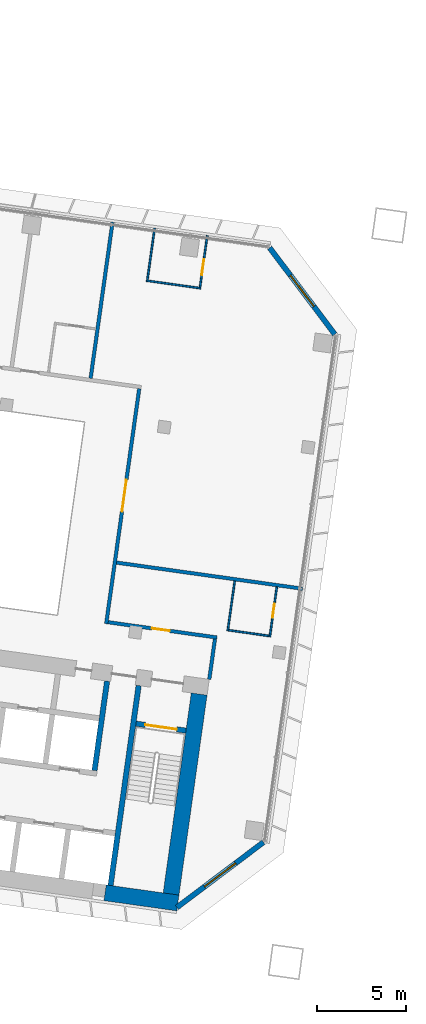
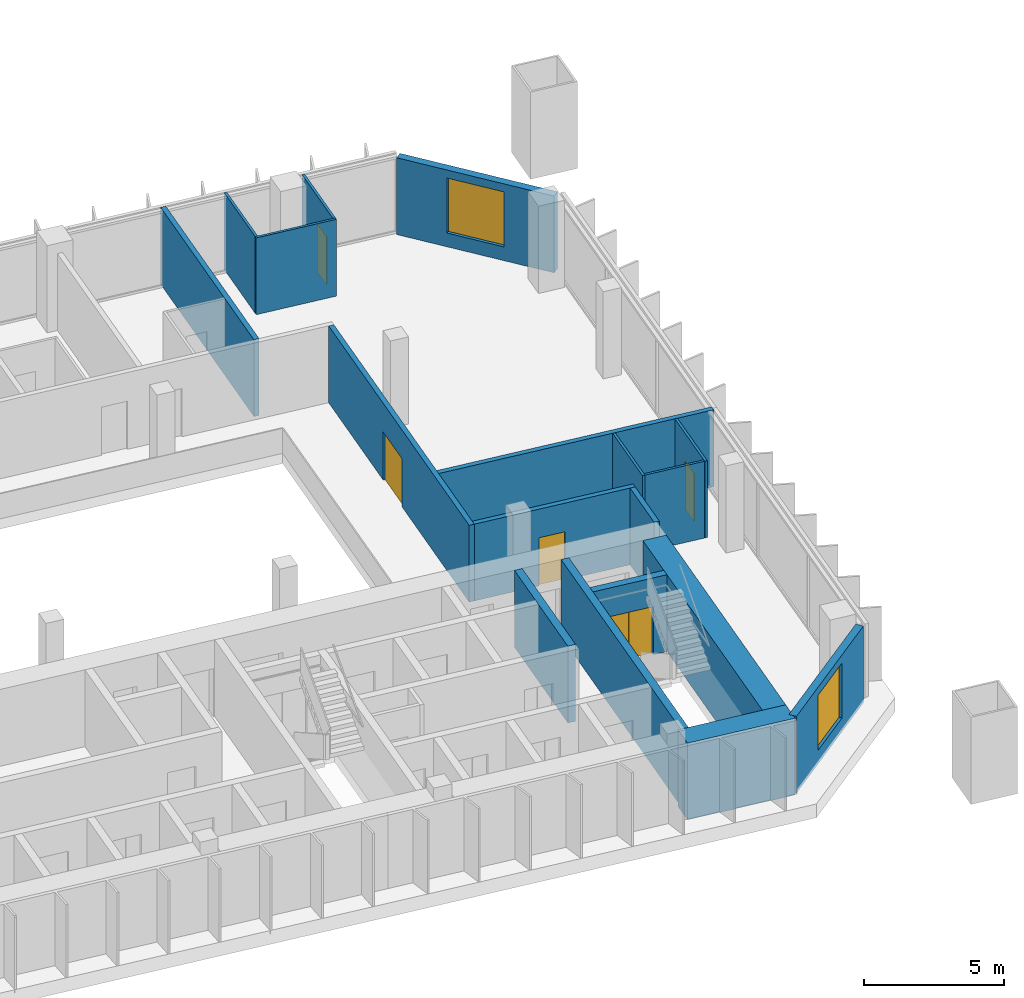
# One storey, part 17 of 24: 18 walls, 5 doors, 2 windows, 7 openings.
"""IFC4 building model written with IfcOpenShell, lengths in metres."""

from ifc_helpers import new_model, si_unit, direction, frame, frame_2d, origin, place, context, subcontext, project, spatial, rectangle, extrude, material, layer, layer_set, type_object, element, fill, save


model = new_model("IFC4")

# Units and contexts
model_context = context("Model", 3, precision=1e-05, world=origin(), true_north=direction((0.0, 1.0)))
body_context = subcontext(model_context, "Body", "Model", "MODEL_VIEW")
ifc_project = project(units=[si_unit("LENGTHUNIT", "METRE"), si_unit("AREAUNIT", "SQUARE_METRE"), si_unit("VOLUMEUNIT", "CUBIC_METRE"), si_unit("PLANEANGLEUNIT", "RADIAN"), si_unit("MASSUNIT", "GRAM", prefix="KILO")], contexts=[model_context])

# Site, building, storey
site_placement = place(None, origin())
site = spatial("IfcSite", under=ifc_project, at=site_placement, CompositionType="ELEMENT")
building_placement = place(site_placement, origin())
building = spatial("IfcBuilding", under=site, at=building_placement, Name="Mirante Cascada Hotel Towers", CompositionType="ELEMENT")
storey_placement = place(building_placement, frame((0.0, 0.0, 81.3)))
storey = spatial("IfcBuildingStorey", under=building, at=storey_placement, Name="L17", CompositionType="ELEMENT", Elevation=81.3)

# Wall, opening, door
ifc_material_1 = material(Name="Fire-rated plasterboard on metal studs")
ifc_layer_1 = layer(ifc_material_1, 0.2)
ifc_layer_set_1 = layer_set([ifc_layer_1], Name="Compartment wall 200 EI 120")
wall_type_1 = type_object("IfcWallType", Name="Compartment wall 200 EI 120", PredefinedType="PARTITIONING", material=ifc_layer_set_1)
wall_1_placement = place(storey_placement, frame((-40.97, -3.8917, 0.0), z_axis=(0.0, 0.0, 1.0), x_axis=(0.9902695, -0.1391629, 0.0)))
wall_1 = element("IfcWall", 1, at=wall_1_placement, inside=storey, type_object=wall_type_1, Name="Wall 1-L17-03", PredefinedType="PARTITIONING", context=body_context, shape_type="SweptSolid", body=[
    extrude(rectangle(XDim=6.1999, YDim=0.2, at=frame_2d((3.1, 0.0))), origin(), (0.0, 0.0, 1.0), 3.35),
])
opening_1_placement = place(wall_1_placement, frame((2.5, 0.0, 0.0)))
opening_1 = element("IfcOpeningElement", 2, at=opening_1_placement, cuts=wall_1, Name="Opening D1-L17-04", PredefinedType="OPENING", context=body_context, shape_type="SweptSolid", body=[
    extrude(rectangle(XDim=1.0, YDim=2.1, at=frame_2d((0.5, 1.05))), frame((0.0, 0.1, 0.0), z_axis=(0.0, -1.0, 0.0), x_axis=(1.0, 0.0, 0.0)), (0.0, 0.0, 1.0), 0.2),
])
ifc_material_2 = material(Name="Fire-rated timber door leaf", Category="wood")
door_type_1 = type_object("IfcDoorType", Name="Entrance door DG1 1000x2100 EI 60", OperationType="SINGLE_SWING_LEFT", PredefinedType="DOOR", material=ifc_material_2)
door_1_placement = place(opening_1_placement, frame((1.0, 0.0, 0.0), z_axis=(0.0, 0.0, 1.0), x_axis=(-1.0, 0.0, 0.0)))
door_1 = element("IfcDoor", 3, at=door_1_placement, inside=storey, type_object=door_type_1, Name="Door D1-L17-04", OperationType="SINGLE_SWING_RIGHT", OverallHeight=2.1, OverallWidth=1.0, PredefinedType="DOOR", context=body_context, shape_type="SweptSolid", body=[
    extrude(rectangle(XDim=1.0, YDim=2.1, at=frame_2d((0.5, 1.05))), frame((0.0, 0.025, 0.0), z_axis=(0.0, -1.0, 0.0), x_axis=(1.0, 0.0, 0.0)), (0.0, 0.0, 1.0), 0.05),
])
fill(opening_1, door_1)

# Walls
wall_2_placement = place(storey_placement, frame((-40.4968, -0.5248, 0.0), z_axis=(0.0, 0.0, 1.0), x_axis=(0.9902684, -0.1391704, 0.0)))
element("IfcWall", 4, at=wall_2_placement, inside=storey, type_object=wall_type_1, Name="Wall 1-L17-07", PredefinedType="PARTITIONING", context=body_context, shape_type="SweptSolid", body=[
    extrude(rectangle(XDim=10.6, YDim=0.2, at=frame_2d((5.3, 0.0))), origin(), (0.0, 0.0, 1.0), 3.35),
])
wall_3_placement = place(storey_placement, frame((-35.2634, -7.1173, 0.0), z_axis=(0.0, 0.0, 1.0), x_axis=(0.1391749, 0.9902678, 0.0)))
element("IfcWall", 5, at=wall_3_placement, inside=storey, type_object=wall_type_1, Name="Wall 1-L17-22", PredefinedType="PARTITIONING", context=body_context, shape_type="SweptSolid", body=[
    extrude(rectangle(XDim=2.3, YDim=0.2, at=frame_2d((1.15, 0.0))), origin(), (0.0, 0.0, 1.0), 3.35),
])

# Wall, opening, door
wall_4_placement = place(storey_placement, frame((-41.083, -3.9768, 0.0), z_axis=(0.0, 0.0, 1.0), x_axis=(0.1391716, 0.9902683, 0.0)))
wall_4 = element("IfcWall", 6, at=wall_4_placement, inside=storey, type_object=wall_type_1, Name="Wall 1-L17-24", PredefinedType="PARTITIONING", context=body_context, shape_type="SweptSolid", body=[
    extrude(rectangle(XDim=13.4, YDim=0.2, at=frame_2d((6.7, 0.0))), origin(), (0.0, 0.0, 1.0), 3.35),
])
opening_2_placement = place(wall_4_placement, frame((6.4, 0.0, 0.0)))
opening_2 = element("IfcOpeningElement", 7, at=opening_2_placement, cuts=wall_4, Name="Opening D1-L17-24", PredefinedType="OPENING", context=body_context, shape_type="SweptSolid", body=[
    extrude(rectangle(XDim=1.8, YDim=2.1, at=frame_2d((0.9, 1.05))), frame((0.0, 0.1, 0.0), z_axis=(0.0, -1.0, 0.0), x_axis=(1.0, 0.0, 0.0)), (0.0, 0.0, 1.0), 0.2),
])
ifc_material_3 = material(Name="Fire-rated timber door leaf", Category="wood")
door_type_2 = type_object("IfcDoorType", Name="Suite double door DG2 1800x2100 EI 60", OperationType="DOUBLE_DOOR_SINGLE_SWING", PredefinedType="DOOR", material=ifc_material_3)
door_2_placement = place(opening_2_placement, origin())
door_2 = element("IfcDoor", 8, at=door_2_placement, inside=storey, type_object=door_type_2, Name="Door D1-L17-24", OperationType="DOUBLE_DOOR_SINGLE_SWING", OverallHeight=2.1, OverallWidth=1.8, PredefinedType="DOOR", context=body_context, shape_type="SweptSolid", body=[
    extrude(rectangle(XDim=0.895, YDim=2.1, at=frame_2d((0.4475, 1.05))), frame((0.0, 0.025, 0.0), z_axis=(0.0, -1.0, 0.0), x_axis=(1.0, 0.0, 0.0)), (0.0, 0.0, 1.0), 0.05),
    extrude(rectangle(XDim=0.895, YDim=2.1, at=frame_2d((1.3525, 1.05))), frame((0.0, 0.025, 0.0), z_axis=(0.0, -1.0, 0.0), x_axis=(1.0, 0.0, 0.0)), (0.0, 0.0, 1.0), 0.05),
])
fill(opening_2, door_2)

# Walls
wall_5_placement = place(storey_placement, frame((-41.963, 9.8805, 0.0), z_axis=(0.0, 0.0, 1.0), x_axis=(0.1391794, 0.9902672, 0.0)))
element("IfcWall", 9, at=wall_5_placement, inside=storey, type_object=wall_type_1, Name="Wall 1-L17-26", PredefinedType="PARTITIONING", context=body_context, shape_type="SweptSolid", body=[
    extrude(rectangle(XDim=8.9, YDim=0.2, at=frame_2d((4.45, 0.0))), origin(), (0.0, 0.0, 1.0), 3.35),
])
ifc_material_4 = material(Name="Plasterboard on metal studs")
ifc_layer_2 = layer(ifc_material_4, 0.1)
ifc_layer_set_2 = layer_set([ifc_layer_2], Name="Partition 100")
wall_type_2 = type_object("IfcWallType", Name="Partition 100", PredefinedType="PARTITIONING", material=ifc_layer_set_2)
wall_6_placement = place(storey_placement, frame((-31.889, -4.663, 0.0), z_axis=(0.0, 0.0, 1.0), x_axis=(-0.9902678, 0.1391749, 0.0)))
element("IfcWall", 10, at=wall_6_placement, inside=storey, type_object=wall_type_2, Name="Wall 1-L17-04", PredefinedType="PARTITIONING", context=body_context, shape_type="SweptSolid", body=[
    extrude(rectangle(XDim=2.3, YDim=0.1, at=frame_2d((1.15, 0.0))), origin(), (0.0, 0.0, 1.0), 3.35),
])
wall_7_placement = place(storey_placement, frame((-38.8147, 15.3961, 0.0), z_axis=(0.0, 0.0, 1.0), x_axis=(0.9902651, -0.1391945, 0.0)))
element("IfcWall", 11, at=wall_7_placement, inside=storey, type_object=wall_type_2, Name="Wall 1-L17-19", PredefinedType="PARTITIONING", context=body_context, shape_type="SweptSolid", body=[
    extrude(rectangle(XDim=3.1, YDim=0.1, at=frame_2d((1.55, 0.0))), origin(), (0.0, 0.0, 1.0), 3.35),
])

# Wall, opening, door
wall_8_placement = place(storey_placement, frame((-31.8464, -4.7195, 0.0), z_axis=(0.0, 0.0, 1.0), x_axis=(0.1391564, 0.9902704, 0.0)))
wall_8 = element("IfcWall", 12, at=wall_8_placement, inside=storey, type_object=wall_type_2, Name="Wall 1-L17-20", PredefinedType="PARTITIONING", context=body_context, shape_type="SweptSolid", body=[
    extrude(rectangle(XDim=2.85, YDim=0.1, at=frame_2d((1.425, 0.0))), origin(), (0.0, 0.0, 1.0), 3.35),
])
opening_3_placement = place(wall_8_placement, frame((1.1, 0.0, 0.0)))
opening_3 = element("IfcOpeningElement", 13, at=opening_3_placement, cuts=wall_8, Name="Opening D1-L17-22", PredefinedType="OPENING", context=body_context, shape_type="SweptSolid", body=[
    extrude(rectangle(XDim=0.8, YDim=2.1, at=frame_2d((0.4, 1.05))), frame((0.0, 0.05, 0.0), z_axis=(0.0, -1.0, 0.0), x_axis=(1.0, 0.0, 0.0)), (0.0, 0.0, 1.0), 0.1),
])
ifc_material_5 = material(Name="Timber door leaf", Category="wood")
door_type_3 = type_object("IfcDoorType", Name="Bathroom door DG4 800x2100", OperationType="SINGLE_SWING_LEFT", PredefinedType="DOOR", material=ifc_material_5)
door_3_placement = place(opening_3_placement, origin())
door_3 = element("IfcDoor", 14, at=door_3_placement, inside=storey, type_object=door_type_3, Name="Door D1-L17-22", OperationType="SINGLE_SWING_LEFT", OverallHeight=2.1, OverallWidth=0.8, PredefinedType="DOOR", context=body_context, shape_type="SweptSolid", body=[
    extrude(rectangle(XDim=0.8, YDim=2.1, at=frame_2d((0.4, 1.05))), frame((0.0, 0.025, 0.0), z_axis=(0.0, -1.0, 0.0), x_axis=(1.0, 0.0, 0.0)), (0.0, 0.0, 1.0), 0.05),
])
fill(opening_3, door_3)

# Wall
wall_9_placement = place(storey_placement, frame((-33.8264, -1.5632, 0.0), z_axis=(0.0, 0.0, 1.0), x_axis=(-0.1391909, -0.9902656, 0.0)))
element("IfcWall", 15, at=wall_9_placement, inside=storey, type_object=wall_type_2, Name="Wall 1-L17-21", PredefinedType="PARTITIONING", context=body_context, shape_type="SweptSolid", body=[
    extrude(rectangle(XDim=2.85, YDim=0.1, at=frame_2d((1.425, 0.0))), origin(), (0.0, 0.0, 1.0), 3.35),
])

# Wall, opening, door
wall_10_placement = place(storey_placement, frame((-35.3769, 17.9424, 0.0), z_axis=(0.0, 0.0, 1.0), x_axis=(-0.1391525, -0.990271, 0.0)))
wall_10 = element("IfcWall", 16, at=wall_10_placement, inside=storey, type_object=wall_type_2, Name="Wall 1-L17-23", PredefinedType="PARTITIONING", context=body_context, shape_type="SweptSolid", body=[
    extrude(rectangle(XDim=2.95, YDim=0.1, at=frame_2d((1.475, 0.0))), origin(), (0.0, 0.0, 1.0), 3.35),
])
opening_4_placement = place(wall_10_placement, frame((1.35, 0.0, 0.0)))
opening_4 = element("IfcOpeningElement", 17, at=opening_4_placement, cuts=wall_10, Name="Opening D1-L17-23", PredefinedType="OPENING", context=body_context, shape_type="SweptSolid", body=[
    extrude(rectangle(XDim=0.9, YDim=2.1, at=frame_2d((0.45, 1.05))), frame((0.0, 0.05, 0.0), z_axis=(0.0, -1.0, 0.0), x_axis=(1.0, 0.0, 0.0)), (0.0, 0.0, 1.0), 0.1),
])
ifc_material_6 = material(Name="Timber door leaf", Category="wood")
door_type_4 = type_object("IfcDoorType", Name="Room door DG3 900x2100", OperationType="SINGLE_SWING_LEFT", PredefinedType="DOOR", material=ifc_material_6)
door_4_placement = place(opening_4_placement, origin())
door_4 = element("IfcDoor", 18, at=door_4_placement, inside=storey, type_object=door_type_4, Name="Door D1-L17-23", OperationType="SINGLE_SWING_LEFT", OverallHeight=2.1, OverallWidth=0.9, PredefinedType="DOOR", context=body_context, shape_type="SweptSolid", body=[
    extrude(rectangle(XDim=0.9, YDim=2.1, at=frame_2d((0.45, 1.05))), frame((0.0, 0.025, 0.0), z_axis=(0.0, -1.0, 0.0), x_axis=(1.0, 0.0, 0.0)), (0.0, 0.0, 1.0), 0.05),
])
fill(opening_4, door_4)

# Wall
wall_11_placement = place(storey_placement, frame((-38.3477, 18.3599, 0.0), z_axis=(0.0, 0.0, 1.0), x_axis=(-0.1391525, -0.990271, 0.0)))
element("IfcWall", 19, at=wall_11_placement, inside=storey, type_object=wall_type_2, Name="Wall 1-L17-25", PredefinedType="PARTITIONING", context=body_context, shape_type="SweptSolid", body=[
    extrude(rectangle(XDim=2.95, YDim=0.1, at=frame_2d((1.475, 0.0))), origin(), (0.0, 0.0, 1.0), 3.35),
])

# Wall, opening, window
ifc_material_7 = material(Name="Precast concrete C40/50", Category="concrete")
ifc_layer_3 = layer(ifc_material_7, 0.3)
ifc_layer_set_3 = layer_set([ifc_layer_3], Name="Precast concrete C40/50 cladding wall 300")
wall_type_3 = type_object("IfcWallType", Name="Precast concrete C40/50 cladding wall 300", PredefinedType="STANDARD", material=ifc_layer_set_3)
wall_12_placement = place(storey_placement, frame((-31.857, 17.252, 0.0), z_axis=(0.0, 0.0, 1.0), x_axis=(0.6018141, -0.7986362, 0.0)))
wall_12 = element("IfcWall", 20, at=wall_12_placement, inside=storey, type_object=wall_type_3, Name="Corner cladding wall T1 L17 front inner", PredefinedType="STANDARD", context=body_context, shape_type="SweptSolid", body=[
    extrude(rectangle(XDim=6.1157, YDim=0.3, at=frame_2d((3.0578, 0.0))), origin(), (0.0, 0.0, 1.0), 3.35),
])
opening_5_placement = place(wall_12_placement, frame((1.9578, 0.0, 0.6)))
opening_5 = element("IfcOpeningElement", 21, at=opening_5_placement, cuts=wall_12, Name="Opening W1-17-04", PredefinedType="OPENING", context=body_context, shape_type="SweptSolid", body=[
    extrude(rectangle(XDim=2.2, YDim=2.4, at=frame_2d((1.1, 1.2))), frame((0.0, 0.15, 0.0), z_axis=(0.0, -1.0, 0.0), x_axis=(1.0, 0.0, 0.0)), (0.0, 0.0, 1.0), 0.3),
])
ifc_material_8 = material(Name="Aluminium frame with clear double glazing", Category="aluminium")
window_type = type_object("IfcWindowType", Name="Corner suite window 2200x2400", PartitioningType="DOUBLE_PANEL_VERTICAL", PredefinedType="WINDOW", material=ifc_material_8)
window_1_placement = place(opening_5_placement, origin())
window_1 = element("IfcWindow", 22, at=window_1_placement, inside=storey, type_object=window_type, Name="Window W1-17-04", OverallHeight=2.4, OverallWidth=2.2, PartitioningType="SINGLE_PANEL", PredefinedType="WINDOW", context=body_context, shape_type="SweptSolid", body=[
    extrude(rectangle(XDim=2.2, YDim=2.4, at=frame_2d((1.1, 1.2))), frame((0.0, 0.03, 0.0), z_axis=(0.0, -1.0, 0.0), x_axis=(1.0, 0.0, 0.0)), (0.0, 0.0, 1.0), 0.06),
])
fill(opening_5, window_1)

wall_13_placement = place(storey_placement, frame((-32.2074, -16.3138, 0.0), z_axis=(0.0, 0.0, 1.0), x_axis=(-0.7986362, -0.6018141, 0.0)))
wall_13 = element("IfcWall", 23, at=wall_13_placement, inside=storey, type_object=wall_type_3, Name="Corner cladding wall T1 L17 inner rear", PredefinedType="STANDARD", context=body_context, shape_type="SweptSolid", body=[
    extrude(rectangle(XDim=6.1157, YDim=0.3, at=frame_2d((3.0578, 0.0))), origin(), (0.0, 0.0, 1.0), 3.35),
])
opening_6_placement = place(wall_13_placement, frame((1.9578, 0.0, 0.6)))
opening_6 = element("IfcOpeningElement", 24, at=opening_6_placement, cuts=wall_13, Name="Opening W1-17-05", PredefinedType="OPENING", context=body_context, shape_type="SweptSolid", body=[
    extrude(rectangle(XDim=2.2, YDim=2.4, at=frame_2d((1.1, 1.2))), frame((0.0, 0.15, 0.0), z_axis=(0.0, -1.0, 0.0), x_axis=(1.0, 0.0, 0.0)), (0.0, 0.0, 1.0), 0.3),
])
window_2_placement = place(opening_6_placement, origin())
window_2 = element("IfcWindow", 25, at=window_2_placement, inside=storey, type_object=window_type, Name="Window W1-17-05", OverallHeight=2.4, OverallWidth=2.2, PartitioningType="SINGLE_PANEL", PredefinedType="WINDOW", context=body_context, shape_type="SweptSolid", body=[
    extrude(rectangle(XDim=2.2, YDim=2.4, at=frame_2d((1.1, 1.2))), frame((0.0, 0.03, 0.0), z_axis=(0.0, -1.0, 0.0), x_axis=(1.0, 0.0, 0.0)), (0.0, 0.0, 1.0), 0.06),
])
fill(opening_6, window_2)

# Wall
ifc_material_9 = material(Name="Concrete C50/60", Category="concrete")
ifc_layer_4 = layer(ifc_material_9, 0.3)
ifc_layer_set_4 = layer_set([ifc_layer_4], Name="RC core wall 300 C50/60")
wall_type_4 = type_object("IfcWallType", Name="RC core wall 300 C50/60", PredefinedType="SHEAR", material=ifc_layer_set_4)
wall_14_placement = place(storey_placement, frame((-40.8373, -18.7548, 0.0), z_axis=(0.0, 0.0, 1.0), x_axis=(0.1391749, 0.9902678, 0.0)))
element("IfcWall", 26, at=wall_14_placement, inside=storey, type_object=wall_type_4, Name="Core wall T1:L17:5", PredefinedType="SHEAR", context=body_context, shape_type="SweptSolid", body=[
    extrude(rectangle(XDim=11.4, YDim=0.3, at=frame_2d((5.7, 0.0))), origin(), (0.0, 0.0, 1.0), 3.35),
])

# Wall, opening, door
wall_15_placement = place(storey_placement, frame((-36.5791, -10.0123, 0.0), z_axis=(0.0, 0.0, 1.0), x_axis=(-0.9902704, 0.1391564, 0.0)))
wall_15 = element("IfcWall", 27, at=wall_15_placement, inside=storey, type_object=wall_type_4, Name="Core wall T1:L17:9", PredefinedType="SHEAR", context=body_context, shape_type="SweptSolid", body=[
    extrude(rectangle(XDim=2.85, YDim=0.3, at=frame_2d((1.425, 0.0))), origin(), (0.0, 0.0, 1.0), 3.35),
])
opening_7_placement = place(wall_15_placement, frame((0.525, 0.0, 0.0)))
opening_7 = element("IfcOpeningElement", 28, at=opening_7_placement, cuts=wall_15, Name="Opening D1-17-C13", PredefinedType="OPENING", context=body_context, shape_type="SweptSolid", body=[
    extrude(rectangle(XDim=1.8, YDim=2.1, at=frame_2d((0.9, 1.05))), frame((0.0, 0.15, 0.0), z_axis=(0.0, -1.0, 0.0), x_axis=(1.0, 0.0, 0.0)), (0.0, 0.0, 1.0), 0.3),
])
ifc_material_10 = material(Name="Hollow metal fire door leaf")
door_type_5 = type_object("IfcDoorType", Name="Double fire door 1800x2100 FD60", OperationType="DOUBLE_DOOR_SINGLE_SWING", PredefinedType="DOOR", material=ifc_material_10)
door_5_placement = place(opening_7_placement, origin())
door_5 = element("IfcDoor", 29, at=door_5_placement, inside=storey, type_object=door_type_5, Name="Stair door T1 L17 13", OperationType="DOUBLE_DOOR_SINGLE_SWING", OverallHeight=2.1, OverallWidth=1.8, PredefinedType="DOOR", context=body_context, shape_type="SweptSolid", body=[
    extrude(rectangle(XDim=0.895, YDim=2.1, at=frame_2d((0.4475, 1.05))), frame((0.0, 0.025, 0.0), z_axis=(0.0, -1.0, 0.0), x_axis=(1.0, 0.0, 0.0)), (0.0, 0.0, 1.0), 0.05),
    extrude(rectangle(XDim=0.895, YDim=2.1, at=frame_2d((1.3525, 1.05))), frame((0.0, 0.025, 0.0), z_axis=(0.0, -1.0, 0.0), x_axis=(1.0, 0.0, 0.0)), (0.0, 0.0, 1.0), 0.05),
])
fill(opening_7, door_5)

# Walls
wall_16_placement = place(storey_placement, frame((-41.743, -12.2656, 0.0), z_axis=(0.0, 0.0, 1.0), x_axis=(0.1391755, 0.9902677, 0.0)))
element("IfcWall", 30, at=wall_16_placement, inside=storey, type_object=wall_type_4, Name="Core wall T1:L17:20", PredefinedType="SHEAR", context=body_context, shape_type="SweptSolid", body=[
    extrude(rectangle(XDim=5.1, YDim=0.3, at=frame_2d((2.55, 0.0))), origin(), (0.0, 0.0, 1.0), 3.35),
])
ifc_material_11 = material(Name="Concrete C50/60", Category="concrete")
ifc_layer_5 = layer(ifc_material_11, 0.9)
ifc_layer_set_5 = layer_set([ifc_layer_5], Name="RC core wall 900 C50/60")
wall_type_5 = type_object("IfcWallType", Name="RC core wall 900 C50/60", PredefinedType="SHEAR", material=ifc_layer_set_5)
wall_17_placement = place(storey_placement, frame((-37.0379, -19.7432, 0.0), z_axis=(0.0, 0.0, 1.0), x_axis=(-0.990267, 0.139181, 0.0)))
element("IfcWall", 31, at=wall_17_placement, inside=storey, type_object=wall_type_5, Name="Core wall T1:L17:1.1", PredefinedType="SHEAR", context=body_context, shape_type="SweptSolid", body=[
    extrude(rectangle(XDim=4.15, YDim=0.9, at=frame_2d((2.075, 0.0))), origin(), (0.0, 0.0, 1.0), 3.35),
])
wall_18_placement = place(storey_placement, frame((-37.4209, -19.2349, 0.0), z_axis=(0.0, 0.0, 1.0), x_axis=(0.1391761, 0.9902677, 0.0)))
element("IfcWall", 32, at=wall_18_placement, inside=storey, type_object=wall_type_5, Name="Core wall T1:L17:3", PredefinedType="SHEAR", context=body_context, shape_type="SweptSolid", body=[
    extrude(rectangle(XDim=11.3999, YDim=0.9, at=frame_2d((5.7, 0.0))), origin(), (0.0, 0.0, 1.0), 3.35),
])

save(model, "model.ifc")
